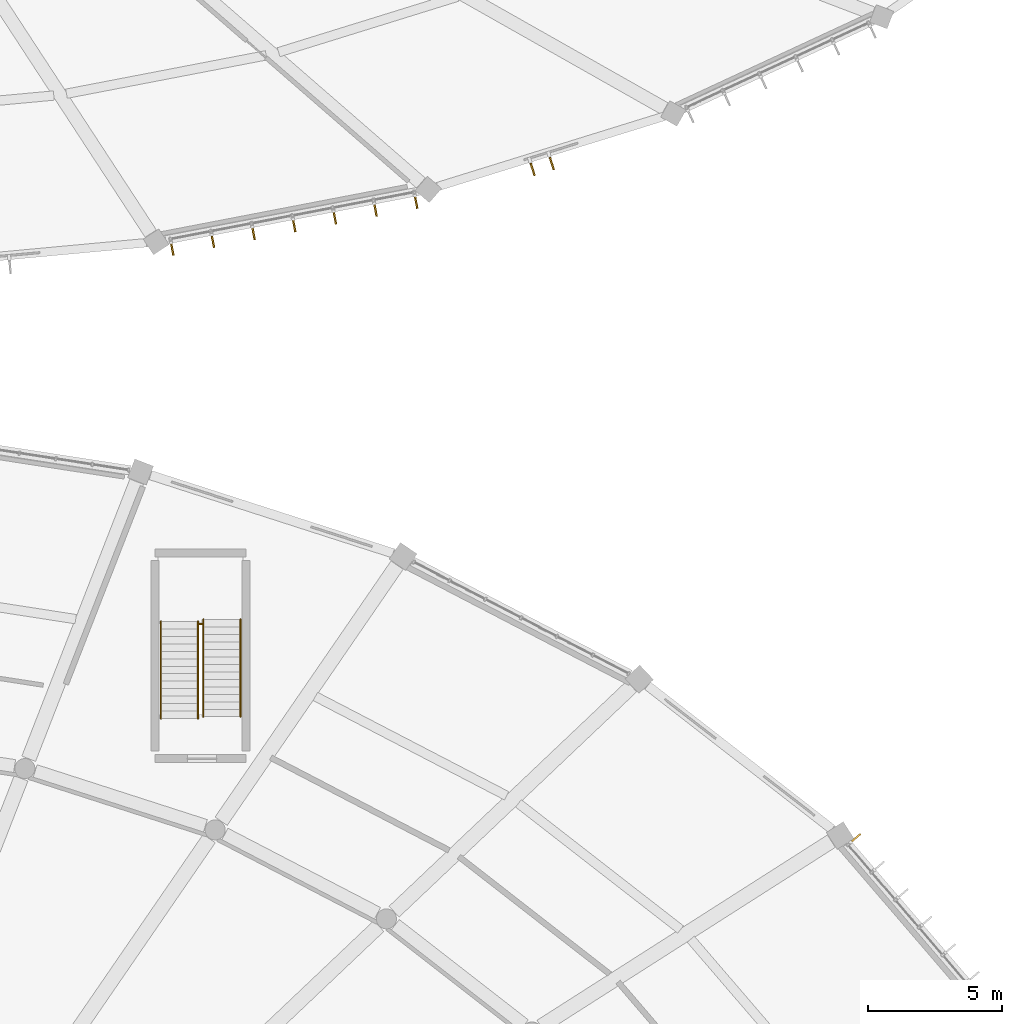
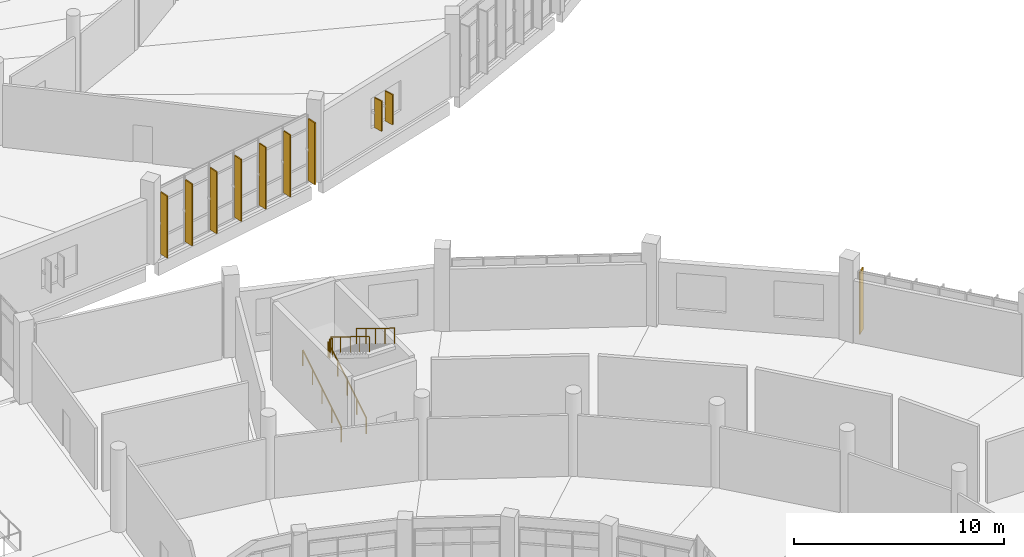
# One storey, part 171 of 179: 10 shading devices, 5 railings.
"""IFC4 building model written with IfcOpenShell, lengths in metres."""

import ifcopenshell
import ifcopenshell.guid

model = None  # the IFC model being written
_history = None  # IfcOwnerHistory: only IFC2X3 demands one
_inside = {}  # id of a spatial element -> (the spatial element, [elements in it])
_under = {}  # id of a project, library or spatial element -> (it, [spatial elements below it])
_declared = {}  # id of a project -> (the project, [libraries it declares])
_typed = {}  # id of a type object -> (the type object, [elements of that type])
_made_of = {}  # id of a material, layer set ... -> (it, [elements and type objects made of it])


def new_model(schema):
    """Start an empty IFC model of exactly this schema.

    Asked for "IFC4X3", IfcOpenShell would pick the latest addendum, in which some entities
    have other attributes; the version numbers below select the first issue.
    IFC2X3 requires an IfcOwnerHistory on every rooted entity: one is made here for all.
    """
    global model, _history
    if schema == "IFC4X3":
        model = ifcopenshell.file(schema_version=(4, 3, 0, 0))
    else:
        model = ifcopenshell.file(schema=schema)
    _inside.clear()
    _under.clear()
    _declared.clear()
    _typed.clear()
    _made_of.clear()
    _history = None
    if model.schema == "IFC2X3":
        org = make("IfcOrganization", Name="unknown")
        user = make(
            "IfcPersonAndOrganization",
            ThePerson=make("IfcPerson", FamilyName="unknown"),
            TheOrganization=org,
        )
        app = make(
            "IfcApplication",
            ApplicationDeveloper=org,
            Version="unknown",
            ApplicationFullName="unknown",
            ApplicationIdentifier="unknown",
        )
        _history = make(
            "IfcOwnerHistory",
            OwningUser=user,
            OwningApplication=app,
            ChangeAction="ADDED",
            CreationDate=0,
        )
    return model


def make(cls, **values):
    """One entity of the class cls with the attributes given. An attribute that is None is left unset."""
    return model.create_entity(
        cls, **{name: value for name, value in values.items() if value is not None}
    )


def rooted(cls, **values):
    """An entity with a GlobalId (a new one), such as an element, a storey or a relation."""
    return make(cls, GlobalId=ifcopenshell.guid.new(), OwnerHistory=_history, **values)


def si_unit(unit_type, name, prefix=None):
    """IfcSIUnit, for example si_unit("LENGTHUNIT", "METRE", prefix="MILLI")."""
    return make("IfcSIUnit", UnitType=unit_type, Prefix=prefix, Name=name)


def assignment(units):
    """IfcUnitAssignment: the units of a project."""
    return None if units is None else make("IfcUnitAssignment", Units=units)


def point(xyz):
    """IfcCartesianPoint."""
    return None if xyz is None else make("IfcCartesianPoint", Coordinates=xyz)


def direction(xyz):
    """IfcDirection."""
    return None if xyz is None else make("IfcDirection", DirectionRatios=xyz)


def frame(location, z_axis=None, x_axis=None):
    """IfcAxis2Placement3D, a coordinate frame: its origin and axes. An axis left out is left unset."""
    return make(
        "IfcAxis2Placement3D",
        Location=point(location),
        Axis=direction(z_axis),
        RefDirection=direction(x_axis),
    )


def frame_2d(location, x_axis=None):
    """IfcAxis2Placement2D, a coordinate frame in the plane: its origin and x axis."""
    return make(
        "IfcAxis2Placement2D", Location=point(location), RefDirection=direction(x_axis)
    )


def origin():
    """The frame at (0, 0, 0) with its axes left unset."""
    return frame((0.0, 0.0, 0.0))


def origin_2d():
    """The frame at (0, 0) in the plane with its x axis left unset."""
    return frame_2d((0.0, 0.0))


def place(relative_to, where):
    """IfcLocalPlacement: puts the frame where relative to a parent placement (None: the world)."""
    return make(
        "IfcLocalPlacement", PlacementRelTo=relative_to, RelativePlacement=where
    )


def context(
    kind, dimensions, precision=None, world=None, true_north=None, identifier=None
):
    """IfcGeometricRepresentationContext, for example the 3D "Model" context."""
    return make(
        "IfcGeometricRepresentationContext",
        ContextIdentifier=identifier,
        ContextType=kind,
        CoordinateSpaceDimension=dimensions,
        Precision=precision,
        WorldCoordinateSystem=world,
        TrueNorth=true_north,
    )


def subcontext(parent, identifier, kind, view, scale=None):
    """IfcGeometricRepresentationSubContext, for example "Body" below "Model"."""
    return make(
        "IfcGeometricRepresentationSubContext",
        ContextIdentifier=identifier,
        ContextType=kind,
        ParentContext=parent,
        TargetScale=scale,
        TargetView=view,
    )


def project(units=None, contexts=None):
    """IfcProject with its units and contexts."""
    return rooted(
        "IfcProject",
        Name="project",
        RepresentationContexts=contexts,
        UnitsInContext=assignment(units),
    )


def spatial(cls, under=None, at=None, **own):
    """A site, building, storey or space (cls), placed at a placement, below another one or the project."""
    s = rooted(cls, ObjectPlacement=at, **own)
    if under is not None:
        _under.setdefault(under.id(), (under, []))[1].append(s)
    return s


def profile(cls, at=None, kind="AREA", **sizes):
    """A parametric profile (cls). Its sizes go by their IFC names, for example OverallWidth=200.0."""
    return make(cls, ProfileType=kind, Position=at, **sizes)


def rectangle(**sizes):
    """IfcRectangleProfileDef."""
    return profile("IfcRectangleProfileDef", **sizes)


def circle(**sizes):
    """IfcCircleProfileDef."""
    return profile("IfcCircleProfileDef", **sizes)


def extrude(swept, where, along, depth):
    """IfcExtrudedAreaSolid: the profile swept, set in the frame where, extruded along a direction by depth."""
    return make(
        "IfcExtrudedAreaSolid",
        SweptArea=swept,
        Position=where,
        ExtrudedDirection=direction(along),
        Depth=depth,
    )


def shape(context_of_items, identifier, shape_type, items):
    """IfcShapeRepresentation: the items that make up one representation, for example the "Body"."""
    return make(
        "IfcShapeRepresentation",
        ContextOfItems=context_of_items,
        RepresentationIdentifier=identifier,
        RepresentationType=shape_type,
        Items=items,
    )


def material(Name=None, Category=None):
    """IfcMaterial."""
    return make("IfcMaterial", Name=Name, Category=Category)


def layer(
    of_material, thickness, ventilated=None, Name=None, Category=None, Priority=None
):
    """IfcMaterialLayer: one layer of a wall or slab, of a material (None: an air gap)."""
    return make(
        "IfcMaterialLayer",
        Material=of_material,
        LayerThickness=thickness,
        IsVentilated=ventilated,
        Name=Name,
        Category=Category,
        Priority=Priority,
    )


def layer_set(layers, Name=None):
    """IfcMaterialLayerSet."""
    return make("IfcMaterialLayerSet", MaterialLayers=layers, LayerSetName=Name)


def made_of(thing, what):
    """Note that an element or type object is made of a material, layer set ...; save() writes the relation."""
    if what is not None:
        _made_of.setdefault(what.id(), (what, []))[1].append(thing)
    return thing


def type_object(cls, material=None, **own):
    """A type object (cls), such as IfcWallType, which elements share."""
    return made_of(rooted(cls, **own), material)


def element(
    cls,
    number,
    at=None,
    inside=None,
    cuts=None,
    type_object=None,
    material=None,
    context=None,
    identifier="Body",
    shape_type=None,
    held_by="IfcProductDefinitionShape",
    body=None,
    shapes=None,
    **own,
):
    """One element of the class cls, such as IfcWall. Its Tag is "e" and its number.

    at: its placement. inside: the storey or other place that contains it. cuts: it is an
    opening in that element (IfcRelVoidsElement). A single representation is given by context,
    identifier, shape_type and body (its items); several are given by shapes. held_by: the class
    of the entity that holds the representations. save() writes the other relations.
    """
    e = rooted(cls, Tag="e%d" % number, ObjectPlacement=at, **own)
    if body is not None:
        shapes = [shape(context, identifier, shape_type, body)]
    if shapes is not None:
        e.Representation = make(held_by, Representations=shapes)
    if inside is not None:
        _inside.setdefault(inside.id(), (inside, []))[1].append(e)
    if cuts is not None:
        rooted(
            "IfcRelVoidsElement", RelatingBuildingElement=cuts, RelatedOpeningElement=e
        )
    if type_object is not None:
        _typed.setdefault(type_object.id(), (type_object, []))[1].append(e)
    return made_of(e, material)


def aggregate(whole, parts):
    """IfcRelAggregates: a whole, such as a stair, and the parts it consists of."""
    return rooted("IfcRelAggregates", RelatingObject=whole, RelatedObjects=parts)


def save(model, path):
    """Write the relations noted so far, then the file.

    IfcRelAggregates (storeys below a building ...), IfcRelContainedInSpatialStructure (elements
    in a storey), IfcRelDefinesByType, IfcRelAssociatesMaterial and IfcRelDeclares: one each for
    every whole, place, type object, material and project.
    """
    for whole, parts in _under.values():
        aggregate(whole, parts)
    for where, things in _inside.values():
        rooted(
            "IfcRelContainedInSpatialStructure",
            RelatedElements=things,
            RelatingStructure=where,
        )
    for kind, things in _typed.values():
        rooted("IfcRelDefinesByType", RelatedObjects=things, RelatingType=kind)
    for what, things in _made_of.values():
        rooted("IfcRelAssociatesMaterial", RelatedObjects=things, RelatingMaterial=what)
    for by, libraries in _declared.values():
        rooted("IfcRelDeclares", RelatingContext=by, RelatedDefinitions=libraries)
    model.write(path)


model = new_model("IFC4")

# Units and contexts
model_context = context("Model", 3, precision=1e-05, world=origin(), true_north=direction((0.0, 1.0)))
body_context = subcontext(model_context, "Body", "Model", "MODEL_VIEW")
ifc_project = project(units=[si_unit("LENGTHUNIT", "METRE"), si_unit("AREAUNIT", "SQUARE_METRE"), si_unit("VOLUMEUNIT", "CUBIC_METRE"), si_unit("PLANEANGLEUNIT", "RADIAN"), si_unit("MASSUNIT", "GRAM", prefix="KILO")], contexts=[model_context])

# Site, building, storey
site_placement = place(None, origin())
site = spatial("IfcSite", under=ifc_project, at=site_placement, CompositionType="ELEMENT")
building_placement = place(site_placement, origin())
building = spatial("IfcBuilding", under=site, at=building_placement, Name="Corvandel Quay Wholesale Market", CompositionType="ELEMENT")
storey_placement = place(building_placement, frame((0.0, 0.0, 6.0)))
storey = spatial("IfcBuildingStorey", under=building, at=storey_placement, Name="L01", CompositionType="ELEMENT", Elevation=6.0)

# Railings
ifc_material_1 = material(Name="Painted galvanised tubular steel", Category="steel")
ifc_layer_1 = layer(ifc_material_1, 0.054931640625)
ifc_layer_set_1 = layer_set([ifc_layer_1], Name="Painted galvanised tubular steel")
railing_type_1 = type_object("IfcRailingType", Name="Stairwell Inner Guard Railing GR02 1100mm", PredefinedType="GUARDRAIL", material=ifc_layer_set_1)
railing_placement = place(storey_placement, frame((131.919921875, 76.68994140625, 2.39990234375)))
element("IfcRailing", 1, at=railing_placement, inside=storey, type_object=railing_type_1, Name="Stair Landing Well Guard 0022", PredefinedType="GUARDRAIL", context=body_context, shape_type="SweptSolid", body=[
    extrude(circle(Radius=0.02392578125, at=origin_2d()), frame((0.0, 0.0, 1.076171875), z_axis=(1.0, 0.0, 0.0), x_axis=(0.0, 1.0, 0.0)), (0.0, 0.0, 1.0), 0.16015625),
    extrude(circle(Radius=0.02099609375, at=origin_2d()), origin(), (0.0, 0.0, 1.0), 1.052001953125),
    extrude(circle(Radius=0.02099609375, at=origin_2d()), frame((0.16015625, 0.0, 0.0)), (0.0, 0.0, 1.0), 1.052001953125),
])
ifc_material_2 = material(Name="Brushed austenitic stainless steel Grade 316", Category="steel")
ifc_layer_2 = layer(ifc_material_2, 0.048095703125)
ifc_layer_set_2 = layer_set([ifc_layer_2], Name="Brushed austenitic stainless steel Grade 316")
railing_type_2 = type_object("IfcRailingType", Name="Tubular Stainless Stair Handrail HR01 915mm", PredefinedType="HANDRAIL", material=ifc_layer_set_2)
for number, where, name in (
    (2, (130.510009765625, 73.14990234375, 0.17138671875), "Stair Handrail 0018"),
    (3, (131.89990234375, 73.14990234375, 0.17138671875), "Stair Handrail 0019"),
):
    element("IfcRailing", number, at=place(storey_placement, frame(where)), inside=storey, type_object=railing_type_2, Name=name, PredefinedType="HANDRAIL", context=body_context, shape_type="SweptSolid", body=[
        extrude(circle(Radius=0.02392578125, at=origin_2d()), frame((0.0, 0.0, 0.89111328125), z_axis=(0.0, 0.852865859571, 0.52213008492), x_axis=(-1.0, 0.0, 0.0)), (0.0, 0.0, 1.0), 4.26806640625),
        extrude(circle(Radius=0.02099609375, at=origin_2d()), origin(), (0.0, 0.0, 1.0), 0.866943359375),
        extrude(circle(Radius=0.02099609375, at=origin_2d()), frame((0.0, 0.91015625, 0.55712890625)), (0.0, 0.0, 1.0), 0.866943359375),
        extrude(circle(Radius=0.02099609375, at=origin_2d()), frame((0.0, 1.820068359375, 1.1142578125)), (0.0, 0.0, 1.0), 0.866943359375),
        extrude(circle(Radius=0.02099609375, at=origin_2d()), frame((0.0, 2.72998046875, 1.67138671875)), (0.0, 0.0, 1.0), 0.866943359375),
        extrude(circle(Radius=0.02099609375, at=origin_2d()), frame((0.0, 3.64013671875, 2.228515625)), (0.0, 0.0, 1.0), 0.866943359375),
    ])
for number, where, name in (
    (4, (132.10009765625, 76.860107421875, 2.5712890625), "Stair Handrail 0020"),
    (5, (133.489990234375, 76.860107421875, 2.5712890625), "Stair Handrail 0021"),
):
    element("IfcRailing", number, at=place(storey_placement, frame(where)), inside=storey, type_object=railing_type_2, Name=name, PredefinedType="HANDRAIL", context=body_context, shape_type="SweptSolid", body=[
        extrude(circle(Radius=0.02392578125, at=origin_2d()), frame((0.0, 0.0, 0.89111328125), z_axis=(0.0, -0.852840387347, 0.522171689878), x_axis=(1.0, 0.0, 0.0)), (0.0, 0.0, 1.0), 4.268310546875),
        extrude(circle(Radius=0.02099609375, at=origin_2d()), origin(), (0.0, 0.0, 1.0), 0.866943359375),
        extrude(circle(Radius=0.02099609375, at=origin_2d()), frame((0.0, -0.91015625, 0.55712890625)), (0.0, 0.0, 1.0), 0.866943359375),
        extrude(circle(Radius=0.02099609375, at=origin_2d()), frame((0.0, -1.820068359375, 1.1142578125)), (0.0, 0.0, 1.0), 0.866943359375),
        extrude(circle(Radius=0.02099609375, at=origin_2d()), frame((0.0, -2.72998046875, 1.671630859375)), (0.0, 0.0, 1.0), 0.866943359375),
        extrude(circle(Radius=0.02099609375, at=origin_2d()), frame((0.0, -3.64013671875, 2.228759765625)), (0.0, 0.0, 1.0), 0.866943359375),
    ])

# Shading devices
ifc_material_3 = material(Name="Bronze anodised extruded aluminium 6063-T6", Category="aluminium")
shading_device_type = type_object("IfcShadingDeviceType", Name="Vertical Anodised Bronze Solar Fin FN01 480mm", PredefinedType="JALOUSIE", material=ifc_material_3)
for number, where, z_axis, x_axis, name in (
    (6, (156.526611328125, 68.67919921875, 0.175048828125), (0.0, 0.0, 1.0), (0.758589401976, 0.651568967347, 0.0), "Solar Fin 0025"),
    (7, (130.93701171875, 90.727783203125, 0.175048828125), (0.0, 0.0, 1.0), (-0.188924055984, 0.981991701121, 0.0), "Solar Fin 0370"),
    (8, (132.458740234375, 91.0205078125, 0.175048828125), (0.0, 0.0, 1.0), (-0.188924055984, 0.981991701121, 0.0), "Solar Fin 0371"),
    (9, (133.98046875, 91.313232421875, 0.175048828125), (0.0, 0.0, 1.0), (-0.188924055984, 0.981991701121, 0.0), "Solar Fin 0372"),
    (10, (135.502197265625, 91.605712890625, 0.175048828125), (0.0, 0.0, 1.0), (-0.188924055984, 0.981991701121, 0.0), "Solar Fin 0373"),
    (11, (137.02392578125, 91.8984375, 0.175048828125), (0.0, 0.0, 1.0), (-0.188924055984, 0.981991701121, 0.0), "Solar Fin 0374"),
    (12, (138.545654296875, 92.191162109375, 0.175048828125), (0.0, 0.0, 1.0), (-0.188924055984, 0.981991701121, 0.0), "Solar Fin 0375"),
    (13, (140.0673828125, 92.48388671875, 0.175048828125), (0.0, 0.0, 1.0), (-0.188924055984, 0.981991701121, 0.0), "Solar Fin 0376"),
):
    element("IfcShadingDevice", number, at=place(storey_placement, frame(where, z_axis=z_axis, x_axis=x_axis)), inside=storey, type_object=shading_device_type, Name=name, PredefinedType="JALOUSIE", context=body_context, shape_type="SweptSolid", body=[
        extrude(rectangle(XDim=0.47998046875, YDim=0.06494140625, at=origin_2d()), origin(), (0.0, 0.0, 1.0), 3.60009765625),
    ])
for number, where, z_axis, x_axis, name in (
    (14, (144.430908203125, 93.709716796875, 1.0), (0.0, 0.0, 1.0), (-0.296208192067, 0.955123398809, 0.0), "Solar Fin 0392"),
    (15, (145.147216796875, 93.931884765625, 1.0), (0.0, 0.0, 1.0), (-0.296208192067, 0.955123398809, 0.0), "Solar Fin 0393"),
):
    element("IfcShadingDevice", number, at=place(storey_placement, frame(where, z_axis=z_axis, x_axis=x_axis)), inside=storey, type_object=shading_device_type, Name=name, PredefinedType="JALOUSIE", context=body_context, shape_type="SweptSolid", body=[
        extrude(rectangle(XDim=0.47998046875, YDim=0.06494140625, at=origin_2d()), origin(), (0.0, 0.0, 1.0), 1.75),
    ])

save(model, "model.ifc")
